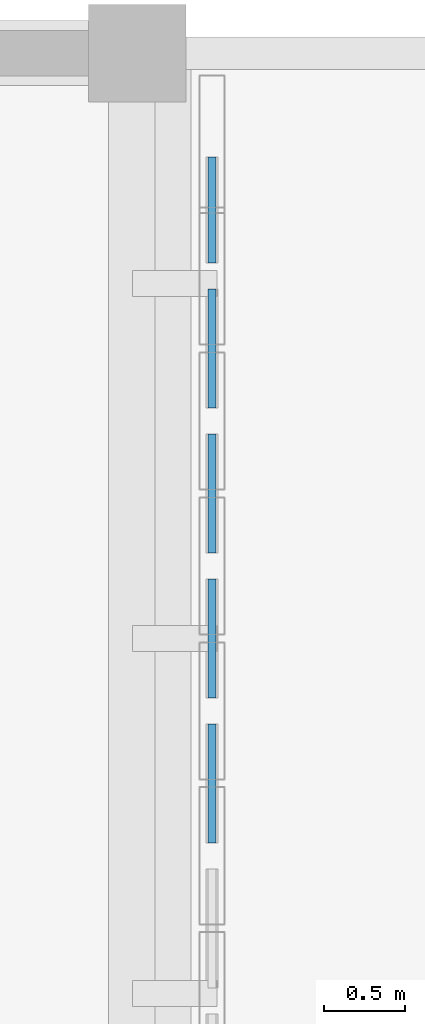
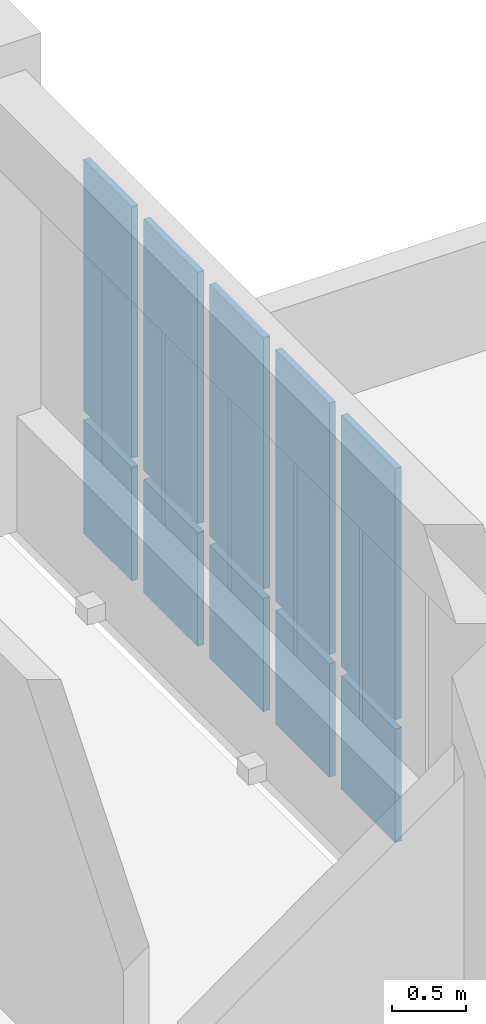
# One storey, part 44 of 67: 10 plates, 1 element without a shape of its own.
"""IFC4 building model written with IfcOpenShell, lengths in metres."""

from ifc_helpers import new_model, si_unit, direction, frame, origin, origin_2d, place, context, subcontext, project, spatial, rectangle, extrude, material, layer, layer_set, type_object, element, aggregate, save


model = new_model("IFC4")

# Units and contexts
model_context = context("Model", 3, precision=1e-05, world=origin(), true_north=direction((0.0, 1.0)))
body_context = subcontext(model_context, "Body", "Model", "MODEL_VIEW")
ifc_project = project(units=[si_unit("LENGTHUNIT", "METRE"), si_unit("AREAUNIT", "SQUARE_METRE"), si_unit("VOLUMEUNIT", "CUBIC_METRE"), si_unit("PLANEANGLEUNIT", "RADIAN"), si_unit("MASSUNIT", "GRAM", prefix="KILO")], contexts=[model_context])

# Site, building, storey
site_placement = place(None, origin())
site = spatial("IfcSite", under=ifc_project, at=site_placement, CompositionType="ELEMENT")
building_placement = place(site_placement, origin())
building = spatial("IfcBuilding", under=site, at=building_placement, Name="Aldebral Square Health Centre", CompositionType="ELEMENT")
storey_placement = place(building_placement, frame((0.0, 0.0, 13.5)))
storey = spatial("IfcBuildingStorey", under=building, at=storey_placement, Name="L03", CompositionType="ELEMENT", Elevation=13.5)

# Curtain wall, plates
ifc_material_1 = material(Name="Aluminium and low-E solar glass", Category="aluminium")
curtain_wall_type = type_object("IfcCurtainWallType", Name="CW-FIN-SYS", PredefinedType="USERDEFINED", material=ifc_material_1)
curtain_wall_placement = place(storey_placement, origin())
curtain_wall = element("IfcCurtainWall", 1, at=curtain_wall_placement, inside=storey, type_object=curtain_wall_type, Name="L03 V4 finned curtain wall L03-V4-03-15-E", ObjectType="SOLAR_CURTAIN_WALL", PredefinedType="USERDEFINED")
ifc_material_2 = material(Name="Solar-control low-E double glass", Category="glass")
ifc_layer = layer(ifc_material_2, 0.050048828125, Name="Solar-control low-E double glass", Category="glass")
ifc_layer_set = layer_set([ifc_layer], Name="Solar-control low-E double glass")
plate_type = type_object("IfcPlateType", Name="CWP-GLZ-4", PredefinedType="CURTAIN_PANEL", material=ifc_layer_set)
plate_1_placement = place(storey_placement, frame((29.260009765625, 110.70849609375, 0.074951171875), z_axis=(0.0, 0.0, 1.0), x_axis=(0.0, 1.0, 0.0)))
plate_1 = element("IfcPlate", 2, at=plate_1_placement, type_object=plate_type, Name="CW1 panel 3.1", PredefinedType="CURTAIN_PANEL", context=body_context, shape_type="SweptSolid", body=[
    extrude(rectangle(XDim=0.7314453125, YDim=0.050048828125, at=origin_2d()), origin(), (0.0, 0.0, 1.0), 0.9375),
])
plate_2_placement = place(storey_placement, frame((29.260009765625, 110.70849609375, 1.08740234375), z_axis=(0.0, 0.0, 1.0), x_axis=(0.0, 1.0, 0.0)))
plate_2 = element("IfcPlate", 3, at=plate_2_placement, type_object=plate_type, Name="CW1 panel 3.2", PredefinedType="CURTAIN_PANEL", context=body_context, shape_type="SweptSolid", body=[
    extrude(rectangle(XDim=0.7314453125, YDim=0.050048828125, at=origin_2d()), origin(), (0.0, 0.0, 1.0), 2.077392578125),
])
plate_3_placement = place(storey_placement, frame((29.260009765625, 111.60009765625, 0.074951171875), z_axis=(0.0, 0.0, 1.0), x_axis=(0.0, 1.0, 0.0)))
plate_3 = element("IfcPlate", 4, at=plate_3_placement, type_object=plate_type, Name="CW1 panel 4.1", PredefinedType="CURTAIN_PANEL", context=body_context, shape_type="SweptSolid", body=[
    extrude(rectangle(XDim=0.7314453125, YDim=0.050048828125, at=origin_2d()), origin(), (0.0, 0.0, 1.0), 0.9375),
])
plate_4_placement = place(storey_placement, frame((29.260009765625, 111.60009765625, 1.08740234375), z_axis=(0.0, 0.0, 1.0), x_axis=(0.0, 1.0, 0.0)))
plate_4 = element("IfcPlate", 5, at=plate_4_placement, type_object=plate_type, Name="CW1 panel 4.2", PredefinedType="CURTAIN_PANEL", context=body_context, shape_type="SweptSolid", body=[
    extrude(rectangle(XDim=0.7314453125, YDim=0.050048828125, at=origin_2d()), origin(), (0.0, 0.0, 1.0), 2.077392578125),
])
plate_5_placement = place(storey_placement, frame((29.260009765625, 112.491455078125, 0.074951171875), z_axis=(0.0, 0.0, 1.0), x_axis=(0.0, 1.0, 0.0)))
plate_5 = element("IfcPlate", 6, at=plate_5_placement, type_object=plate_type, Name="CW1 panel 5.1", PredefinedType="CURTAIN_PANEL", context=body_context, shape_type="SweptSolid", body=[
    extrude(rectangle(XDim=0.7314453125, YDim=0.050048828125, at=origin_2d()), origin(), (0.0, 0.0, 1.0), 0.9375),
])
plate_6_placement = place(storey_placement, frame((29.260009765625, 112.491455078125, 1.08740234375), z_axis=(0.0, 0.0, 1.0), x_axis=(0.0, 1.0, 0.0)))
plate_6 = element("IfcPlate", 7, at=plate_6_placement, type_object=plate_type, Name="CW1 panel 5.2", PredefinedType="CURTAIN_PANEL", context=body_context, shape_type="SweptSolid", body=[
    extrude(rectangle(XDim=0.7314453125, YDim=0.050048828125, at=origin_2d()), origin(), (0.0, 0.0, 1.0), 2.077392578125),
])
plate_7_placement = place(storey_placement, frame((29.260009765625, 113.3828125, 0.074951171875), z_axis=(0.0, 0.0, 1.0), x_axis=(0.0, 1.0, 0.0)))
plate_7 = element("IfcPlate", 8, at=plate_7_placement, type_object=plate_type, Name="CW1 panel 6.1", PredefinedType="CURTAIN_PANEL", context=body_context, shape_type="SweptSolid", body=[
    extrude(rectangle(XDim=0.7314453125, YDim=0.050048828125, at=origin_2d()), origin(), (0.0, 0.0, 1.0), 0.9375),
])
plate_8_placement = place(storey_placement, frame((29.260009765625, 113.3828125, 1.08740234375), z_axis=(0.0, 0.0, 1.0), x_axis=(0.0, 1.0, 0.0)))
plate_8 = element("IfcPlate", 9, at=plate_8_placement, type_object=plate_type, Name="CW1 panel 6.2", PredefinedType="CURTAIN_PANEL", context=body_context, shape_type="SweptSolid", body=[
    extrude(rectangle(XDim=0.7314453125, YDim=0.050048828125, at=origin_2d()), origin(), (0.0, 0.0, 1.0), 2.077392578125),
])
plate_9_placement = place(storey_placement, frame((29.260009765625, 114.234375, 0.074951171875), z_axis=(0.0, 0.0, 1.0), x_axis=(0.0, 1.0, 0.0)))
plate_9 = element("IfcPlate", 10, at=plate_9_placement, type_object=plate_type, Name="CW1 panel 7.1", PredefinedType="CURTAIN_PANEL", context=body_context, shape_type="SweptSolid", body=[
    extrude(rectangle(XDim=0.6513671875, YDim=0.050048828125, at=origin_2d()), origin(), (0.0, 0.0, 1.0), 0.9375),
])
plate_10_placement = place(storey_placement, frame((29.260009765625, 114.234375, 1.08740234375), z_axis=(0.0, 0.0, 1.0), x_axis=(0.0, 1.0, 0.0)))
plate_10 = element("IfcPlate", 11, at=plate_10_placement, type_object=plate_type, Name="CW1 panel 7.2", PredefinedType="CURTAIN_PANEL", context=body_context, shape_type="SweptSolid", body=[
    extrude(rectangle(XDim=0.6513671875, YDim=0.050048828125, at=origin_2d()), origin(), (0.0, 0.0, 1.0), 2.077392578125),
])
aggregate(curtain_wall, [plate_1, plate_2, plate_3, plate_4, plate_5, plate_6, plate_7, plate_8, plate_9, plate_10])

save(model, "model.ifc")
